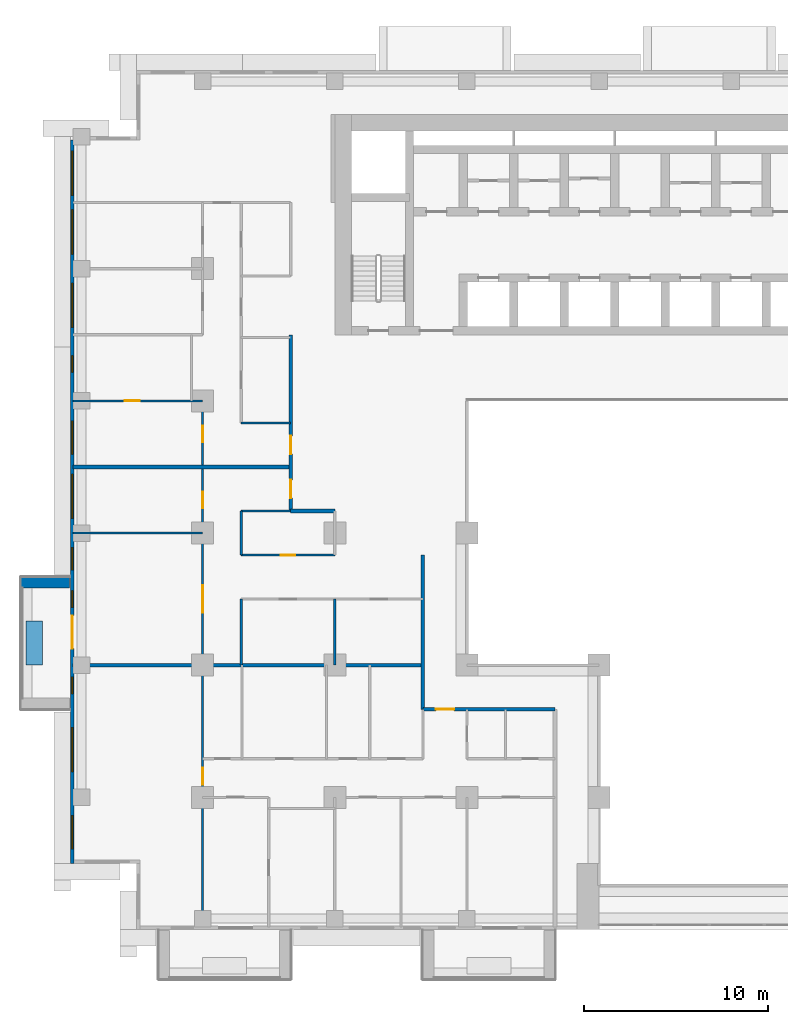
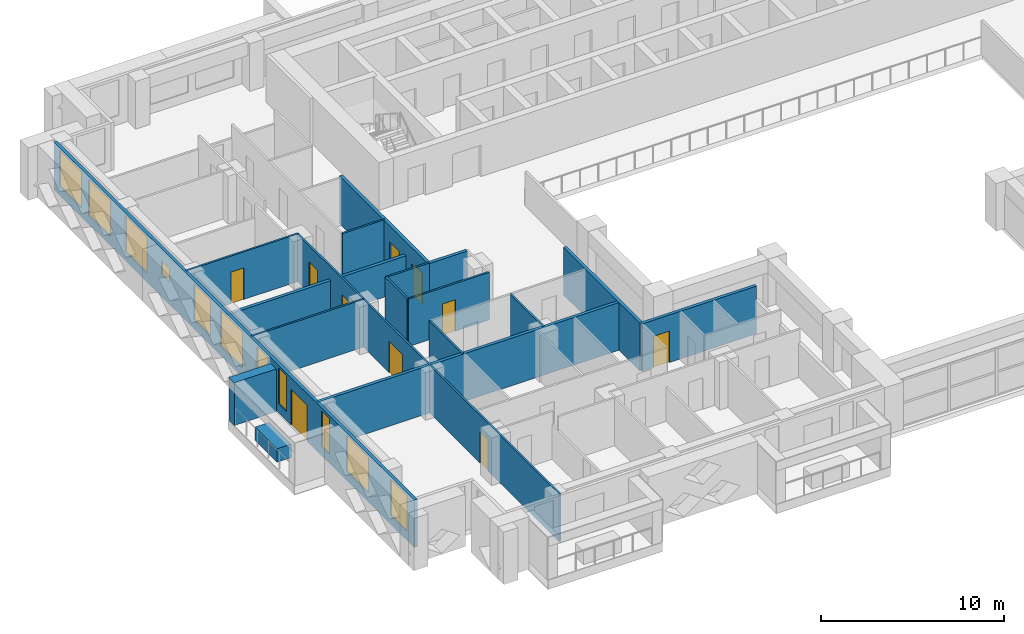
# One storey, part 7 of 17: 18 walls, 11 windows, 10 doors, 21 openings.
"""IFC4 building model written with IfcOpenShell, lengths in metres."""

from ifc_helpers import new_model, si_unit, direction, frame, frame_2d, origin, place, context, subcontext, project, spatial, rectangle, extrude, material, layer, layer_set, type_object, element, fill, save


model = new_model("IFC4")

# Units and contexts
model_context = context("Model", 3, precision=1e-05, world=origin(), true_north=direction((0.0, 1.0)))
body_context = subcontext(model_context, "Body", "Model", "MODEL_VIEW")
ifc_project = project(units=[si_unit("LENGTHUNIT", "METRE"), si_unit("AREAUNIT", "SQUARE_METRE"), si_unit("VOLUMEUNIT", "CUBIC_METRE"), si_unit("PLANEANGLEUNIT", "RADIAN"), si_unit("MASSUNIT", "GRAM", prefix="KILO")], contexts=[model_context])

# Site, building, storey
site_placement = place(None, origin())
site = spatial("IfcSite", under=ifc_project, at=site_placement, CompositionType="ELEMENT")
building_placement = place(site_placement, origin())
building = spatial("IfcBuilding", under=site, at=building_placement, Name="Saffron Iwan Residences", CompositionType="ELEMENT")
storey_placement = place(building_placement, frame((0.0, 0.0, 97.0)))
storey = spatial("IfcBuildingStorey", under=building, at=storey_placement, Name="L25", CompositionType="ELEMENT", Elevation=97.0)

# Walls
ifc_material_1 = material(Name="Concrete C50/60 white painted", Category="concrete")
ifc_layer_1 = layer(ifc_material_1, 0.60009765625)
ifc_layer_set_1 = layer_set([ifc_layer_1], Name="Concrete C50/60 white painted")
wall_type_1 = type_object("IfcWallType", Name="BALCONY FIN 600", PredefinedType="SOLIDWALL", material=ifc_layer_set_1)
wall_1_placement = place(storey_placement, frame((14.35009765625, 52.5, 0.0), z_axis=(0.0, 0.0, 1.0), x_axis=(-1.0, 0.0, 0.0)))
element("IfcWall", 1, at=wall_1_placement, inside=storey, type_object=wall_type_1, Name="Balcony fin L25 F8-1a", PredefinedType="SOLIDWALL", context=body_context, shape_type="SweptSolid", body=[
    extrude(rectangle(XDim=2.650146484375, YDim=0.60009765625, at=frame_2d((1.3251953125, 0.0))), origin(), (0.0, 0.0, 1.0), 2.85009765625),
])
ifc_material_2 = material(Name="Concrete C35/45 white painted", Category="concrete")
ifc_layer_2 = layer(ifc_material_2, 0.14990234375)
ifc_layer_set_2 = layer_set([ifc_layer_2], Name="Concrete C35/45 white painted")
wall_type_2 = type_object("IfcWallType", Name="BALCONY PLANTER", PredefinedType="SOLIDWALL", material=ifc_layer_set_2)
wall_2_placement = place(storey_placement, frame((12.425048828125, 50.39990234375, 0.0), z_axis=(0.0, 0.0, 1.0), x_axis=(0.0, -1.0, 0.0)))
element("IfcWall", 2, at=wall_2_placement, inside=storey, type_object=wall_type_2, Name="PLANTER L25 F8-1", PredefinedType="SOLIDWALL", context=body_context, shape_type="SweptSolid", body=[
    extrude(rectangle(XDim=2.39990234375, YDim=0.89990234375, at=frame_2d((1.199951171875, 0.0))), origin(), (0.0, 0.0, 1.0), 0.89990234375),
])

# Wall, openings, door, windows
ifc_material_3 = material(Name="Concrete C40/50", Category="concrete")
ifc_layer_3 = layer(ifc_material_3, 0.199951171875)
ifc_layer_set_3 = layer_set([ifc_layer_3], Name="Concrete C40/50")
wall_type_3 = type_object("IfcWallType", Name="EXTERNAL WALL 200", PredefinedType="SOLIDWALL", material=ifc_layer_set_3)
wall_3_placement = place(storey_placement, frame((14.5, 76.60009765625, 0.0), z_axis=(0.0, 0.0, 1.0), x_axis=(0.0, -1.0, 0.0)))
wall_3 = element("IfcWall", 3, at=wall_3_placement, inside=storey, type_object=wall_type_3, Name="External wall L25 F8.0", PredefinedType="SOLIDWALL", context=body_context, shape_type="SweptSolid", body=[
    extrude(rectangle(XDim=39.400146484375, YDim=0.199951171875, at=frame_2d((19.7001953125, 0.0))), origin(), (0.0, 0.0, 1.0), 3.179931640625),
])
opening_1_placement = place(wall_3_placement, frame((25.89990234375, 0.0, 0.0)))
opening_1 = element("IfcOpeningElement", 4, at=opening_1_placement, cuts=wall_3, Name="Opening BD1", PredefinedType="OPENING", context=body_context, shape_type="SweptSolid", body=[
    extrude(rectangle(XDim=1.800048828125, YDim=2.39990234375, at=frame_2d((0.89990234375, 1.199951171875))), frame((0.0, 0.10986328125, 0.0), z_axis=(0.0, -1.0, 0.0), x_axis=(1.0, 0.0, 0.0)), (0.0, 0.0, 1.0), 0.219970703125),
])
opening_2_placement = place(wall_3_placement, frame((29.25, 0.0, 0.60009765625)))
opening_2 = element("IfcOpeningElement", 5, at=opening_2_placement, cuts=wall_3, Name="Opening W10", PredefinedType="OPENING", context=body_context, shape_type="SweptSolid", body=[
    extrude(rectangle(XDim=0.89990234375, YDim=2.39990234375, at=frame_2d((0.449951171875, 1.199951171875))), frame((0.0, 0.10986328125, 0.0), z_axis=(0.0, -1.0, 0.0), x_axis=(1.0, 0.0, 0.0)), (0.0, 0.0, 1.0), 0.219970703125),
])
opening_3_placement = place(wall_3_placement, frame((32.0, 0.0, 0.60009765625)))
opening_3 = element("IfcOpeningElement", 6, at=opening_3_placement, cuts=wall_3, Name="Opening W1", PredefinedType="OPENING", context=body_context, shape_type="SweptSolid", body=[
    extrude(rectangle(XDim=2.39990234375, YDim=2.39990234375, at=frame_2d((1.199951171875, 1.199951171875))), frame((0.0, 0.10986328125, 0.0), z_axis=(0.0, -1.0, 0.0), x_axis=(1.0, 0.0, 0.0)), (0.0, 0.0, 1.0), 0.219970703125),
])
opening_4_placement = place(wall_3_placement, frame((36.800048828125, 0.0, 0.60009765625)))
opening_4 = element("IfcOpeningElement", 7, at=opening_4_placement, cuts=wall_3, Name="Opening W8", PredefinedType="OPENING", context=body_context, shape_type="SweptSolid", body=[
    extrude(rectangle(XDim=1.800048828125, YDim=2.39990234375, at=frame_2d((0.89990234375, 1.199951171875))), frame((0.0, 0.10986328125, 0.0), z_axis=(0.0, -1.0, 0.0), x_axis=(1.0, 0.0, 0.0)), (0.0, 0.0, 1.0), 0.219970703125),
])
opening_5_placement = place(wall_3_placement, frame((22.199951171875, 0.0, 0.60009765625)))
opening_5 = element("IfcOpeningElement", 8, at=opening_5_placement, cuts=wall_3, Name="Opening W3", PredefinedType="OPENING", context=body_context, shape_type="SweptSolid", body=[
    extrude(rectangle(XDim=1.199951171875, YDim=2.39990234375, at=frame_2d((0.60009765625, 1.199951171875))), frame((0.0, 0.10986328125, 0.0), z_axis=(0.0, -1.0, 0.0), x_axis=(1.0, 0.0, 0.0)), (0.0, 0.0, 1.0), 0.219970703125),
])
opening_6_placement = place(wall_3_placement, frame((24.550048828125, 0.0, 0.60009765625)))
opening_6 = element("IfcOpeningElement", 9, at=opening_6_placement, cuts=wall_3, Name="Opening W10", PredefinedType="OPENING", context=body_context, shape_type="SweptSolid", body=[
    extrude(rectangle(XDim=0.89990234375, YDim=2.39990234375, at=frame_2d((0.449951171875, 1.199951171875))), frame((0.0, 0.10986328125, 0.0), z_axis=(0.0, -1.0, 0.0), x_axis=(1.0, 0.0, 0.0)), (0.0, 0.0, 1.0), 0.219970703125),
])
opening_7_placement = place(wall_3_placement, frame((18.199951171875, 0.0, 0.60009765625)))
opening_7 = element("IfcOpeningElement", 10, at=opening_7_placement, cuts=wall_3, Name="Opening W1", PredefinedType="OPENING", context=body_context, shape_type="SweptSolid", body=[
    extrude(rectangle(XDim=2.39990234375, YDim=2.39990234375, at=frame_2d((1.199951171875, 1.199951171875))), frame((0.0, 0.10986328125, 0.0), z_axis=(0.0, -1.0, 0.0), x_axis=(1.0, 0.0, 0.0)), (0.0, 0.0, 1.0), 0.219970703125),
])
opening_8_placement = place(wall_3_placement, frame((15.300048828125, 0.0, 0.60009765625)))
opening_8 = element("IfcOpeningElement", 11, at=opening_8_placement, cuts=wall_3, Name="Opening W8", PredefinedType="OPENING", context=body_context, shape_type="SweptSolid", body=[
    extrude(rectangle(XDim=1.800048828125, YDim=2.39990234375, at=frame_2d((0.89990234375, 1.199951171875))), frame((0.0, 0.10986328125, 0.0), z_axis=(0.0, -1.0, 0.0), x_axis=(1.0, 0.0, 0.0)), (0.0, 0.0, 1.0), 0.219970703125),
])
opening_9_placement = place(wall_3_placement, frame((11.75, 0.0, 1.5)))
opening_9 = element("IfcOpeningElement", 12, at=opening_9_placement, cuts=wall_3, Name="Opening W6", PredefinedType="OPENING", context=body_context, shape_type="SweptSolid", body=[
    extrude(rectangle(XDim=0.89990234375, YDim=0.89990234375, at=frame_2d((0.449951171875, 0.449951171875))), frame((0.0, 0.10986328125, 0.0), z_axis=(0.0, -1.0, 0.0), x_axis=(1.0, 0.0, 0.0)), (0.0, 0.0, 1.0), 0.219970703125),
])
opening_10_placement = place(wall_3_placement, frame((7.800048828125, 0.0, 0.60009765625)))
opening_10 = element("IfcOpeningElement", 13, at=opening_10_placement, cuts=wall_3, Name="Opening W1", PredefinedType="OPENING", context=body_context, shape_type="SweptSolid", body=[
    extrude(rectangle(XDim=2.39990234375, YDim=2.39990234375, at=frame_2d((1.199951171875, 1.199951171875))), frame((0.0, 0.10986328125, 0.0), z_axis=(0.0, -1.0, 0.0), x_axis=(1.0, 0.0, 0.0)), (0.0, 0.0, 1.0), 0.219970703125),
])
opening_11_placement = place(wall_3_placement, frame((3.800048828125, 0.0, 0.60009765625)))
opening_11 = element("IfcOpeningElement", 14, at=opening_11_placement, cuts=wall_3, Name="Opening W1", PredefinedType="OPENING", context=body_context, shape_type="SweptSolid", body=[
    extrude(rectangle(XDim=2.39990234375, YDim=2.39990234375, at=frame_2d((1.199951171875, 1.199951171875))), frame((0.0, 0.10986328125, 0.0), z_axis=(0.0, -1.0, 0.0), x_axis=(1.0, 0.0, 0.0)), (0.0, 0.0, 1.0), 0.219970703125),
])
opening_12_placement = place(wall_3_placement, frame((0.60009765625, 0.0, 0.60009765625)))
opening_12 = element("IfcOpeningElement", 15, at=opening_12_placement, cuts=wall_3, Name="Opening W1", PredefinedType="OPENING", context=body_context, shape_type="SweptSolid", body=[
    extrude(rectangle(XDim=2.39990234375, YDim=2.39990234375, at=frame_2d((1.199951171875, 1.199951171875))), frame((0.0, 0.10986328125, 0.0), z_axis=(0.0, -1.0, 0.0), x_axis=(1.0, 0.0, 0.0)), (0.0, 0.0, 1.0), 0.219970703125),
])
ifc_material_4 = material(Name="Clear glass, laminated double glazed", Category="glass")
door_type_1 = type_object("IfcDoorType", Name="BALCONY DOOR 1800 x 2400", OperationType="DOUBLE_DOOR_SLIDING", PredefinedType="DOOR", material=ifc_material_4)
door_1_placement = place(opening_1_placement, origin())
door_1 = element("IfcDoor", 16, at=door_1_placement, inside=storey, type_object=door_type_1, Name="Balcony door L25 F8.0", OperationType="DOUBLE_DOOR_SLIDING", OverallHeight=2.39990234375, OverallWidth=1.800048828125, PredefinedType="DOOR", context=body_context, shape_type="SweptSolid", body=[
    extrude(rectangle(XDim=1.800048828125, YDim=2.39990234375, at=frame_2d((0.89990234375, 1.199951171875))), frame((0.0, 0.02490234375, 0.0), z_axis=(0.0, -1.0, 0.0), x_axis=(1.0, 0.0, 0.0)), (0.0, 0.0, 1.0), 0.050048828125),
])
fill(opening_1, door_1)
window_type_1 = type_object("IfcWindowType", Name="WINDOW 1200 x 2400", PartitioningType="SINGLE_PANEL", PredefinedType="WINDOW", material=ifc_material_4)
window_1_placement = place(opening_5_placement, origin())
window_1 = element("IfcWindow", 17, at=window_1_placement, inside=storey, type_object=window_type_1, Name="Window L25 F8.4", OverallHeight=2.39990234375, OverallWidth=1.199951171875, PartitioningType="SINGLE_PANEL", PredefinedType="WINDOW", context=body_context, shape_type="SweptSolid", body=[
    extrude(rectangle(XDim=1.199951171875, YDim=2.39990234375, at=frame_2d((0.60009765625, 1.199951171875))), frame((0.0, 0.030029296875, 0.0), z_axis=(0.0, -1.0, 0.0), x_axis=(1.0, 0.0, 0.0)), (0.0, 0.0, 1.0), 0.06005859375),
])
fill(opening_5, window_1)
window_type_2 = type_object("IfcWindowType", Name="WINDOW 1800 x 2400", PartitioningType="DOUBLE_PANEL_VERTICAL", PredefinedType="WINDOW", material=ifc_material_4)
window_2_placement = place(opening_4_placement, origin())
window_2 = element("IfcWindow", 18, at=window_2_placement, inside=storey, type_object=window_type_2, Name="Window L25 F8.3", OverallHeight=2.39990234375, OverallWidth=1.800048828125, PartitioningType="DOUBLE_PANEL_VERTICAL", PredefinedType="WINDOW", context=body_context, shape_type="SweptSolid", body=[
    extrude(rectangle(XDim=1.800048828125, YDim=2.39990234375, at=frame_2d((0.89990234375, 1.199951171875))), frame((0.0, 0.030029296875, 0.0), z_axis=(0.0, -1.0, 0.0), x_axis=(1.0, 0.0, 0.0)), (0.0, 0.0, 1.0), 0.06005859375),
])
fill(opening_4, window_2)
window_3_placement = place(opening_8_placement, origin())
window_3 = element("IfcWindow", 19, at=window_3_placement, inside=storey, type_object=window_type_2, Name="Window L25 F8.7", OverallHeight=2.39990234375, OverallWidth=1.800048828125, PartitioningType="DOUBLE_PANEL_VERTICAL", PredefinedType="WINDOW", context=body_context, shape_type="SweptSolid", body=[
    extrude(rectangle(XDim=1.800048828125, YDim=2.39990234375, at=frame_2d((0.89990234375, 1.199951171875))), frame((0.0, 0.030029296875, 0.0), z_axis=(0.0, -1.0, 0.0), x_axis=(1.0, 0.0, 0.0)), (0.0, 0.0, 1.0), 0.06005859375),
])
fill(opening_8, window_3)
window_type_3 = type_object("IfcWindowType", Name="WINDOW 2400 x 2400", PartitioningType="DOUBLE_PANEL_VERTICAL", PredefinedType="WINDOW", material=ifc_material_4)
window_4_placement = place(opening_3_placement, origin())
window_4 = element("IfcWindow", 20, at=window_4_placement, inside=storey, type_object=window_type_3, Name="Window L25 F8.2", OverallHeight=2.39990234375, OverallWidth=2.39990234375, PartitioningType="DOUBLE_PANEL_VERTICAL", PredefinedType="WINDOW", context=body_context, shape_type="SweptSolid", body=[
    extrude(rectangle(XDim=2.39990234375, YDim=2.39990234375, at=frame_2d((1.199951171875, 1.199951171875))), frame((0.0, 0.030029296875, 0.0), z_axis=(0.0, -1.0, 0.0), x_axis=(1.0, 0.0, 0.0)), (0.0, 0.0, 1.0), 0.06005859375),
])
fill(opening_3, window_4)
window_5_placement = place(opening_7_placement, origin())
window_5 = element("IfcWindow", 21, at=window_5_placement, inside=storey, type_object=window_type_3, Name="Window L25 F8.6", OverallHeight=2.39990234375, OverallWidth=2.39990234375, PartitioningType="DOUBLE_PANEL_VERTICAL", PredefinedType="WINDOW", context=body_context, shape_type="SweptSolid", body=[
    extrude(rectangle(XDim=2.39990234375, YDim=2.39990234375, at=frame_2d((1.199951171875, 1.199951171875))), frame((0.0, 0.030029296875, 0.0), z_axis=(0.0, -1.0, 0.0), x_axis=(1.0, 0.0, 0.0)), (0.0, 0.0, 1.0), 0.06005859375),
])
fill(opening_7, window_5)
window_6_placement = place(opening_10_placement, origin())
window_6 = element("IfcWindow", 22, at=window_6_placement, inside=storey, type_object=window_type_3, Name="Window L25 F8.9", OverallHeight=2.39990234375, OverallWidth=2.39990234375, PartitioningType="DOUBLE_PANEL_VERTICAL", PredefinedType="WINDOW", context=body_context, shape_type="SweptSolid", body=[
    extrude(rectangle(XDim=2.39990234375, YDim=2.39990234375, at=frame_2d((1.199951171875, 1.199951171875))), frame((0.0, 0.030029296875, 0.0), z_axis=(0.0, -1.0, 0.0), x_axis=(1.0, 0.0, 0.0)), (0.0, 0.0, 1.0), 0.06005859375),
])
fill(opening_10, window_6)
window_7_placement = place(opening_11_placement, origin())
window_7 = element("IfcWindow", 23, at=window_7_placement, inside=storey, type_object=window_type_3, Name="Window L25 F8.10", OverallHeight=2.39990234375, OverallWidth=2.39990234375, PartitioningType="DOUBLE_PANEL_VERTICAL", PredefinedType="WINDOW", context=body_context, shape_type="SweptSolid", body=[
    extrude(rectangle(XDim=2.39990234375, YDim=2.39990234375, at=frame_2d((1.199951171875, 1.199951171875))), frame((0.0, 0.030029296875, 0.0), z_axis=(0.0, -1.0, 0.0), x_axis=(1.0, 0.0, 0.0)), (0.0, 0.0, 1.0), 0.06005859375),
])
fill(opening_11, window_7)
window_8_placement = place(opening_12_placement, origin())
window_8 = element("IfcWindow", 24, at=window_8_placement, inside=storey, type_object=window_type_3, Name="Window L25 F8.11", OverallHeight=2.39990234375, OverallWidth=2.39990234375, PartitioningType="DOUBLE_PANEL_VERTICAL", PredefinedType="WINDOW", context=body_context, shape_type="SweptSolid", body=[
    extrude(rectangle(XDim=2.39990234375, YDim=2.39990234375, at=frame_2d((1.199951171875, 1.199951171875))), frame((0.0, 0.030029296875, 0.0), z_axis=(0.0, -1.0, 0.0), x_axis=(1.0, 0.0, 0.0)), (0.0, 0.0, 1.0), 0.06005859375),
])
fill(opening_12, window_8)
window_type_4 = type_object("IfcWindowType", Name="WINDOW 900 x 2400", PartitioningType="SINGLE_PANEL", PredefinedType="WINDOW", material=ifc_material_4)
window_9_placement = place(opening_2_placement, origin())
window_9 = element("IfcWindow", 25, at=window_9_placement, inside=storey, type_object=window_type_4, Name="Window L25 F8.1", OverallHeight=2.39990234375, OverallWidth=0.89990234375, PartitioningType="SINGLE_PANEL", PredefinedType="WINDOW", context=body_context, shape_type="SweptSolid", body=[
    extrude(rectangle(XDim=0.89990234375, YDim=2.39990234375, at=frame_2d((0.449951171875, 1.199951171875))), frame((0.0, 0.030029296875, 0.0), z_axis=(0.0, -1.0, 0.0), x_axis=(1.0, 0.0, 0.0)), (0.0, 0.0, 1.0), 0.06005859375),
])
fill(opening_2, window_9)
window_10_placement = place(opening_6_placement, origin())
window_10 = element("IfcWindow", 26, at=window_10_placement, inside=storey, type_object=window_type_4, Name="Window L25 F8.5", OverallHeight=2.39990234375, OverallWidth=0.89990234375, PartitioningType="SINGLE_PANEL", PredefinedType="WINDOW", context=body_context, shape_type="SweptSolid", body=[
    extrude(rectangle(XDim=0.89990234375, YDim=2.39990234375, at=frame_2d((0.449951171875, 1.199951171875))), frame((0.0, 0.030029296875, 0.0), z_axis=(0.0, -1.0, 0.0), x_axis=(1.0, 0.0, 0.0)), (0.0, 0.0, 1.0), 0.06005859375),
])
fill(opening_6, window_10)
window_type_5 = type_object("IfcWindowType", Name="WINDOW 900 x 900 BATH", PartitioningType="SINGLE_PANEL", PredefinedType="WINDOW", material=ifc_material_4)
window_11_placement = place(opening_9_placement, origin())
window_11 = element("IfcWindow", 27, at=window_11_placement, inside=storey, type_object=window_type_5, Name="Window L25 F8.8", OverallHeight=0.89990234375, OverallWidth=0.89990234375, PartitioningType="SINGLE_PANEL", PredefinedType="WINDOW", context=body_context, shape_type="SweptSolid", body=[
    extrude(rectangle(XDim=0.89990234375, YDim=0.89990234375, at=frame_2d((0.449951171875, 0.449951171875))), frame((0.0, 0.030029296875, 0.0), z_axis=(0.0, -1.0, 0.0), x_axis=(1.0, 0.0, 0.0)), (0.0, 0.0, 1.0), 0.06005859375),
])
fill(opening_9, window_11)

# Walls
ifc_material_5 = material(Name="Fire-rated gypsum board wall")
ifc_layer_4 = layer(ifc_material_5, 0.199951171875)
ifc_layer_set_4 = layer_set([ifc_layer_4], Name="Fire-rated gypsum board wall")
wall_type_4 = type_object("IfcWallType", Name="Flat demising wall 200", PredefinedType="SOLIDWALL", material=ifc_layer_set_4)
wall_4_placement = place(storey_placement, frame((14.52490234375, 48.0, 0.0), z_axis=(0.0, 0.0, 1.0), x_axis=(1.0, 0.0, 0.0)))
element("IfcWall", 28, at=wall_4_placement, inside=storey, type_object=wall_type_4, Name="W-L25-DEMISE-h48-14.525", PredefinedType="SOLIDWALL", context=body_context, shape_type="SweptSolid", body=[
    extrude(rectangle(XDim=19.0751953125, YDim=0.199951171875, at=frame_2d((9.53759765625, 0.0))), origin(), (0.0, 0.0, 1.0), 3.179931640625),
])
wall_5_placement = place(storey_placement, frame((14.52490234375, 58.800048828125, 0.0), z_axis=(0.0, 0.0, 1.0), x_axis=(1.0, 0.0, 0.0)))
element("IfcWall", 29, at=wall_5_placement, inside=storey, type_object=wall_type_4, Name="W-L25-DEMISE-h58.8-14.525", PredefinedType="SOLIDWALL", context=body_context, shape_type="SweptSolid", body=[
    extrude(rectangle(XDim=11.875, YDim=0.199951171875, at=frame_2d((5.9375, 0.0))), origin(), (0.0, 0.0, 1.0), 2.280029296875),
])

# Wall, opening, door
ifc_material_6 = material(Name="Gypsum board partition")
ifc_layer_5 = layer(ifc_material_6, 0.1201171875)
ifc_layer_set_5 = layer_set([ifc_layer_5], Name="Gypsum board partition")
wall_type_5 = type_object("IfcWallType", Name="Flat partition 120", PredefinedType="PARTITIONING", material=ifc_layer_set_5)
wall_6_placement = place(storey_placement, frame((23.699951171875, 54.0, 0.0), z_axis=(0.0, 0.0, 1.0), x_axis=(1.0, 0.0, 0.0)))
wall_6 = element("IfcWall", 30, at=wall_6_placement, inside=storey, type_object=wall_type_5, Name="W-L25-PART-h54-23.7", PredefinedType="PARTITIONING", context=body_context, shape_type="SweptSolid", body=[
    extrude(rectangle(XDim=5.10009765625, YDim=0.1201171875, at=frame_2d((2.550048828125, 0.0))), origin(), (0.0, 0.0, 1.0), 3.179931640625),
])
opening_13_placement = place(wall_6_placement, frame((2.14990234375, 0.0, 0.0)))
opening_13 = element("IfcOpeningElement", 31, at=opening_13_placement, cuts=wall_6, Name="Opening FD3", PredefinedType="OPENING", context=body_context, shape_type="SweptSolid", body=[
    extrude(rectangle(XDim=0.800048828125, YDim=2.10009765625, at=frame_2d((0.39990234375, 1.050048828125))), frame((0.0, 0.070068359375, 0.0), z_axis=(0.0, -1.0, 0.0), x_axis=(1.0, 0.0, 0.0)), (0.0, 0.0, 1.0), 0.14013671875),
])
ifc_material_7 = material(Name="Timber door", Category="wood")
door_type_2 = type_object("IfcDoorType", Name="Bathroom door 800", OperationType="NOTDEFINED", PredefinedType="DOOR", material=ifc_material_7)
door_2_placement = place(opening_13_placement, origin())
door_2 = element("IfcDoor", 32, at=door_2_placement, inside=storey, type_object=door_type_2, Name="Door L25-018", OperationType="SINGLE_SWING_RIGHT", OverallHeight=2.10009765625, OverallWidth=0.800048828125, PredefinedType="DOOR", context=body_context, shape_type="SweptSolid", body=[
    extrude(rectangle(XDim=0.800048828125, YDim=2.10009765625, at=frame_2d((0.39990234375, 1.050048828125))), frame((0.0, 0.02490234375, 0.0), z_axis=(0.0, -1.0, 0.0), x_axis=(1.0, 0.0, 0.0)), (0.0, 0.0, 1.0), 0.050048828125),
])
fill(opening_13, door_2)

# Walls
wall_7_placement = place(storey_placement, frame((14.52490234375, 55.199951171875, 0.0), z_axis=(0.0, 0.0, 1.0), x_axis=(1.0, 0.0, 0.0)))
element("IfcWall", 33, at=wall_7_placement, inside=storey, type_object=wall_type_5, Name="W-L25-PART-h55.2-14.525", PredefinedType="PARTITIONING", context=body_context, shape_type="SweptSolid", body=[
    extrude(rectangle(XDim=7.0751953125, YDim=0.1201171875, at=frame_2d((3.53759765625, 0.0))), origin(), (0.0, 0.0, 1.0), 3.179931640625),
])
for number, where, z_axis, x_axis, name in (
    (34, (23.699951171875, 56.39990234375, 0.0), (0.0, 0.0, 1.0), (1.0, 0.0, 0.0), "W-L25-PART-h56.4-23.7"),
    (35, (23.699951171875, 61.199951171875, 0.0), (0.0, 0.0, 1.0), (1.0, 0.0, 0.0), "W-L25-PART-h61.2-23.7"),
):
    element("IfcWall", number, at=place(storey_placement, frame(where, z_axis=z_axis, x_axis=x_axis)), inside=storey, type_object=wall_type_5, Name=name, PredefinedType="PARTITIONING", context=body_context, shape_type="SweptSolid", body=[
        extrude(rectangle(XDim=2.699951171875, YDim=0.1201171875, at=frame_2d((1.35009765625, 0.0))), origin(), (0.0, 0.0, 1.0), 3.179931640625),
    ])

# Wall, opening, door
wall_8_placement = place(storey_placement, frame((14.52490234375, 62.39990234375, 0.0), z_axis=(0.0, 0.0, 1.0), x_axis=(1.0, 0.0, 0.0)))
wall_8 = element("IfcWall", 36, at=wall_8_placement, inside=storey, type_object=wall_type_5, Name="W-L25-PART-h62.4-14.525", PredefinedType="PARTITIONING", context=body_context, shape_type="SweptSolid", body=[
    extrude(rectangle(XDim=7.0751953125, YDim=0.1201171875, at=frame_2d((3.53759765625, 0.0))), origin(), (0.0, 0.0, 1.0), 3.179931640625),
])
opening_14_placement = place(wall_8_placement, frame((2.83740234375, 0.0, 0.0)))
opening_14 = element("IfcOpeningElement", 37, at=opening_14_placement, cuts=wall_8, Name="Opening FD3", PredefinedType="OPENING", context=body_context, shape_type="SweptSolid", body=[
    extrude(rectangle(XDim=0.800048828125, YDim=2.10009765625, at=frame_2d((0.39990234375, 1.050048828125))), frame((0.0, 0.070068359375, 0.0), z_axis=(0.0, -1.0, 0.0), x_axis=(1.0, 0.0, 0.0)), (0.0, 0.0, 1.0), 0.14013671875),
])
door_3_placement = place(opening_14_placement, origin())
door_3 = element("IfcDoor", 38, at=door_3_placement, inside=storey, type_object=door_type_2, Name="Door L25-028", OperationType="SINGLE_SWING_LEFT", OverallHeight=2.10009765625, OverallWidth=0.800048828125, PredefinedType="DOOR", context=body_context, shape_type="SweptSolid", body=[
    extrude(rectangle(XDim=0.800048828125, YDim=2.10009765625, at=frame_2d((0.39990234375, 1.050048828125))), frame((0.0, 0.02490234375, 0.0), z_axis=(0.0, -1.0, 0.0), x_axis=(1.0, 0.0, 0.0)), (0.0, 0.0, 1.0), 0.050048828125),
])
fill(opening_14, door_3)

# Wall, openings, doors
wall_9_placement = place(storey_placement, frame((21.60009765625, 33.72509765625, 0.0), z_axis=(0.0, 0.0, 1.0), x_axis=(0.0, 1.0, 0.0)))
wall_9 = element("IfcWall", 39, at=wall_9_placement, inside=storey, type_object=wall_type_5, Name="W-L25-PART-v21.6-33.725", PredefinedType="PARTITIONING", context=body_context, shape_type="SweptSolid", body=[
    extrude(rectangle(XDim=28.6748046875, YDim=0.1201171875, at=frame_2d((14.33740234375, 0.0))), origin(), (0.0, 0.0, 1.0), 3.179931640625),
])
opening_15_placement = place(wall_9_placement, frame((7.77490234375, 0.0, 0.0)))
opening_15 = element("IfcOpeningElement", 40, at=opening_15_placement, cuts=wall_9, Name="Opening FD2", PredefinedType="OPENING", context=body_context, shape_type="SweptSolid", body=[
    extrude(rectangle(XDim=0.89990234375, YDim=2.10009765625, at=frame_2d((0.449951171875, 1.050048828125))), frame((0.0, 0.070068359375, 0.0), z_axis=(0.0, -1.0, 0.0), x_axis=(1.0, 0.0, 0.0)), (0.0, 0.0, 1.0), 0.14013671875),
])
opening_16_placement = place(wall_9_placement, frame((17.125, 0.0, 0.0)))
opening_16 = element("IfcOpeningElement", 41, at=opening_16_placement, cuts=wall_9, Name="Opening FD4", PredefinedType="OPENING", context=body_context, shape_type="SweptSolid", body=[
    extrude(rectangle(XDim=1.5, YDim=2.10009765625, at=frame_2d((0.75, 1.050048828125))), frame((0.0, 0.070068359375, 0.0), z_axis=(0.0, -1.0, 0.0), x_axis=(1.0, 0.0, 0.0)), (0.0, 0.0, 1.0), 0.14013671875),
])
opening_17_placement = place(wall_9_placement, frame((22.824951171875, 0.0, 0.0)))
opening_17 = element("IfcOpeningElement", 42, at=opening_17_placement, cuts=wall_9, Name="Opening FD2", PredefinedType="OPENING", context=body_context, shape_type="SweptSolid", body=[
    extrude(rectangle(XDim=0.89990234375, YDim=2.10009765625, at=frame_2d((0.449951171875, 1.050048828125))), frame((0.0, 0.070068359375, 0.0), z_axis=(0.0, -1.0, 0.0), x_axis=(1.0, 0.0, 0.0)), (0.0, 0.0, 1.0), 0.14013671875),
])
opening_18_placement = place(wall_9_placement, frame((26.425048828125, 0.0, 0.0)))
opening_18 = element("IfcOpeningElement", 43, at=opening_18_placement, cuts=wall_9, Name="Opening FD2", PredefinedType="OPENING", context=body_context, shape_type="SweptSolid", body=[
    extrude(rectangle(XDim=0.89990234375, YDim=2.10009765625, at=frame_2d((0.449951171875, 1.050048828125))), frame((0.0, 0.070068359375, 0.0), z_axis=(0.0, -1.0, 0.0), x_axis=(1.0, 0.0, 0.0)), (0.0, 0.0, 1.0), 0.14013671875),
])
door_type_3 = type_object("IfcDoorType", Name="Double door 1500", OperationType="NOTDEFINED", PredefinedType="DOOR", material=ifc_material_7)
door_4_placement = place(opening_16_placement, origin())
door_4 = element("IfcDoor", 44, at=door_4_placement, inside=storey, type_object=door_type_3, Name="Door L25-015", OperationType="SINGLE_SWING_RIGHT", OverallHeight=2.10009765625, OverallWidth=1.5, PredefinedType="DOOR", context=body_context, shape_type="SweptSolid", body=[
    extrude(rectangle(XDim=1.5, YDim=2.10009765625, at=frame_2d((0.75, 1.050048828125))), frame((0.0, 0.02490234375, 0.0), z_axis=(0.0, -1.0, 0.0), x_axis=(1.0, 0.0, 0.0)), (0.0, 0.0, 1.0), 0.050048828125),
])
fill(opening_16, door_4)
door_type_4 = type_object("IfcDoorType", Name="Flat door 900", OperationType="NOTDEFINED", PredefinedType="DOOR", material=ifc_material_7)
door_5_placement = place(opening_15_placement, origin())
door_5 = element("IfcDoor", 45, at=door_5_placement, inside=storey, type_object=door_type_4, Name="Door L25-002", OperationType="SINGLE_SWING_RIGHT", OverallHeight=2.10009765625, OverallWidth=0.89990234375, PredefinedType="DOOR", context=body_context, shape_type="SweptSolid", body=[
    extrude(rectangle(XDim=0.89990234375, YDim=2.10009765625, at=frame_2d((0.449951171875, 1.050048828125))), frame((0.0, 0.02490234375, 0.0), z_axis=(0.0, -1.0, 0.0), x_axis=(1.0, 0.0, 0.0)), (0.0, 0.0, 1.0), 0.050048828125),
])
fill(opening_15, door_5)
door_6_placement = place(opening_17_placement, origin())
door_6 = element("IfcDoor", 46, at=door_6_placement, inside=storey, type_object=door_type_4, Name="Door L25-016", OperationType="SINGLE_SWING_LEFT", OverallHeight=2.10009765625, OverallWidth=0.89990234375, PredefinedType="DOOR", context=body_context, shape_type="SweptSolid", body=[
    extrude(rectangle(XDim=0.89990234375, YDim=2.10009765625, at=frame_2d((0.449951171875, 1.050048828125))), frame((0.0, 0.02490234375, 0.0), z_axis=(0.0, -1.0, 0.0), x_axis=(1.0, 0.0, 0.0)), (0.0, 0.0, 1.0), 0.050048828125),
])
fill(opening_17, door_6)
door_7_placement = place(opening_18_placement, origin())
door_7 = element("IfcDoor", 47, at=door_7_placement, inside=storey, type_object=door_type_4, Name="Door L25-027", OperationType="SINGLE_SWING_RIGHT", OverallHeight=2.10009765625, OverallWidth=0.89990234375, PredefinedType="DOOR", context=body_context, shape_type="SweptSolid", body=[
    extrude(rectangle(XDim=0.89990234375, YDim=2.10009765625, at=frame_2d((0.449951171875, 1.050048828125))), frame((0.0, 0.02490234375, 0.0), z_axis=(0.0, -1.0, 0.0), x_axis=(1.0, 0.0, 0.0)), (0.0, 0.0, 1.0), 0.050048828125),
])
fill(opening_18, door_7)

# Walls
wall_10_placement = place(storey_placement, frame((23.699951171875, 48.0, 0.0), z_axis=(0.0, 0.0, 1.0), x_axis=(0.0, 1.0, 0.0)))
element("IfcWall", 48, at=wall_10_placement, inside=storey, type_object=wall_type_5, Name="W-L25-PART-v23.7-48", PredefinedType="PARTITIONING", context=body_context, shape_type="SweptSolid", body=[
    extrude(rectangle(XDim=3.60009765625, YDim=0.1201171875, at=frame_2d((1.800048828125, 0.0))), origin(), (0.0, 0.0, 1.0), 3.179931640625),
])
wall_11_placement = place(storey_placement, frame((23.699951171875, 54.0, 0.0), z_axis=(0.0, 0.0, 1.0), x_axis=(0.0, 1.0, 0.0)))
element("IfcWall", 49, at=wall_11_placement, inside=storey, type_object=wall_type_5, Name="W-L25-PART-v23.7-54", PredefinedType="PARTITIONING", context=body_context, shape_type="SweptSolid", body=[
    extrude(rectangle(XDim=2.39990234375, YDim=0.1201171875, at=frame_2d((1.199951171875, 0.0))), origin(), (0.0, 0.0, 1.0), 3.179931640625),
])
wall_12_placement = place(storey_placement, frame((28.800048828125, 48.0, 0.0), z_axis=(0.0, 0.0, 1.0), x_axis=(0.0, 1.0, 0.0)))
element("IfcWall", 50, at=wall_12_placement, inside=storey, type_object=wall_type_5, Name="W-L25-PART-v28.8-48", PredefinedType="PARTITIONING", context=body_context, shape_type="SweptSolid", body=[
    extrude(rectangle(XDim=3.60009765625, YDim=0.1201171875, at=frame_2d((1.800048828125, 0.0))), origin(), (0.0, 0.0, 1.0), 3.179931640625),
])

# Wall, opening, door
ifc_layer_6 = layer(ifc_material_5, 0.199951171875)
ifc_layer_set_6 = layer_set([ifc_layer_6], Name="Fire-rated gypsum board wall")
wall_type_6 = type_object("IfcWallType", Name="Gallery wall 200", PredefinedType="SOLIDWALL", material=ifc_layer_set_6)
wall_13_placement = place(storey_placement, frame((33.60009765625, 45.60009765625, 0.0), z_axis=(0.0, 0.0, 1.0), x_axis=(1.0, 0.0, 0.0)))
wall_13 = element("IfcWall", 51, at=wall_13_placement, inside=storey, type_object=wall_type_6, Name="W-L25-CORR-h45.6-33.6", PredefinedType="SOLIDWALL", context=body_context, shape_type="SweptSolid", body=[
    extrude(rectangle(XDim=7.199951171875, YDim=0.199951171875, at=frame_2d((3.60009765625, 0.0))), origin(), (0.0, 0.0, 1.0), 3.179931640625),
])
opening_19_placement = place(wall_13_placement, frame((0.699951171875, 0.0, 0.0)))
opening_19 = element("IfcOpeningElement", 52, at=opening_19_placement, cuts=wall_13, Name="Opening FD1", PredefinedType="OPENING", context=body_context, shape_type="SweptSolid", body=[
    extrude(rectangle(XDim=1.0, YDim=2.10009765625, at=frame_2d((0.5, 1.050048828125))), frame((0.0, 0.10986328125, 0.0), z_axis=(0.0, -1.0, 0.0), x_axis=(1.0, 0.0, 0.0)), (0.0, 0.0, 1.0), 0.219970703125),
])
ifc_material_8 = material(Name="Fire-rated timber door", Category="wood")
door_type_5 = type_object("IfcDoorType", Name="FD30S flat entrance door 1000", OperationType="NOTDEFINED", PredefinedType="DOOR", material=ifc_material_8)
door_8_placement = place(opening_19_placement, origin())
door_8 = element("IfcDoor", 53, at=door_8_placement, inside=storey, type_object=door_type_5, Name="Door L25-001", OperationType="SINGLE_SWING_LEFT", OverallHeight=2.10009765625, OverallWidth=1.0, PredefinedType="DOOR", context=body_context, shape_type="SweptSolid", body=[
    extrude(rectangle(XDim=1.0, YDim=2.10009765625, at=frame_2d((0.5, 1.050048828125))), frame((0.0, 0.02490234375, 0.0), z_axis=(0.0, -1.0, 0.0), x_axis=(1.0, 0.0, 0.0)), (0.0, 0.0, 1.0), 0.050048828125),
])
fill(opening_19, door_8)

# Wall
wall_14_placement = place(storey_placement, frame((26.39990234375, 56.39990234375, 0.0), z_axis=(0.0, 0.0, 1.0), x_axis=(1.0, 0.0, 0.0)))
element("IfcWall", 54, at=wall_14_placement, inside=storey, type_object=wall_type_6, Name="W-L25-CORR-h56.4-26.4", PredefinedType="SOLIDWALL", context=body_context, shape_type="SweptSolid", body=[
    extrude(rectangle(XDim=2.400146484375, YDim=0.199951171875, at=frame_2d((1.2001953125, 0.0))), origin(), (0.0, 0.0, 1.0), 3.179931640625),
])

# Wall, openings, doors
wall_15_placement = place(storey_placement, frame((26.39990234375, 56.39990234375, 0.0), z_axis=(0.0, 0.0, 1.0), x_axis=(0.0, 1.0, 0.0)))
wall_15 = element("IfcWall", 55, at=wall_15_placement, inside=storey, type_object=wall_type_6, Name="W-L25-CORR-v26.4-56.4", PredefinedType="SOLIDWALL", context=body_context, shape_type="SweptSolid", body=[
    extrude(rectangle(XDim=9.60009765625, YDim=0.199951171875, at=frame_2d((4.800048828125, 0.0))), origin(), (0.0, 0.0, 1.0), 3.179931640625),
])
opening_20_placement = place(wall_15_placement, frame((0.699951171875, 0.0, 0.0)))
opening_20 = element("IfcOpeningElement", 56, at=opening_20_placement, cuts=wall_15, Name="Opening FD1", PredefinedType="OPENING", context=body_context, shape_type="SweptSolid", body=[
    extrude(rectangle(XDim=1.0, YDim=2.10009765625, at=frame_2d((0.5, 1.050048828125))), frame((0.0, 0.10986328125, 0.0), z_axis=(0.0, -1.0, 0.0), x_axis=(1.0, 0.0, 0.0)), (0.0, 0.0, 1.0), 0.219970703125),
])
opening_21_placement = place(wall_15_placement, frame((3.10009765625, 0.0, 0.0)))
opening_21 = element("IfcOpeningElement", 57, at=opening_21_placement, cuts=wall_15, Name="Opening FD1", PredefinedType="OPENING", context=body_context, shape_type="SweptSolid", body=[
    extrude(rectangle(XDim=1.0, YDim=2.10009765625, at=frame_2d((0.5, 1.050048828125))), frame((0.0, 0.10986328125, 0.0), z_axis=(0.0, -1.0, 0.0), x_axis=(1.0, 0.0, 0.0)), (0.0, 0.0, 1.0), 0.219970703125),
])
door_9_placement = place(opening_20_placement, origin())
door_9 = element("IfcDoor", 58, at=door_9_placement, inside=storey, type_object=door_type_5, Name="Door L25-014", OperationType="SINGLE_SWING_LEFT", OverallHeight=2.10009765625, OverallWidth=1.0, PredefinedType="DOOR", context=body_context, shape_type="SweptSolid", body=[
    extrude(rectangle(XDim=1.0, YDim=2.10009765625, at=frame_2d((0.5, 1.050048828125))), frame((0.0, 0.02490234375, 0.0), z_axis=(0.0, -1.0, 0.0), x_axis=(1.0, 0.0, 0.0)), (0.0, 0.0, 1.0), 0.050048828125),
])
fill(opening_20, door_9)
door_10_placement = place(opening_21_placement, origin())
door_10 = element("IfcDoor", 59, at=door_10_placement, inside=storey, type_object=door_type_5, Name="Door L25-026", OperationType="SINGLE_SWING_LEFT", OverallHeight=2.10009765625, OverallWidth=1.0, PredefinedType="DOOR", context=body_context, shape_type="SweptSolid", body=[
    extrude(rectangle(XDim=1.0, YDim=2.10009765625, at=frame_2d((0.5, 1.050048828125))), frame((0.0, 0.02490234375, 0.0), z_axis=(0.0, -1.0, 0.0), x_axis=(1.0, 0.0, 0.0)), (0.0, 0.0, 1.0), 0.050048828125),
])
fill(opening_21, door_10)

# Wall
wall_16_placement = place(storey_placement, frame((33.60009765625, 45.60009765625, 0.0), z_axis=(0.0, 0.0, 1.0), x_axis=(0.0, 1.0, 0.0)))
element("IfcWall", 60, at=wall_16_placement, inside=storey, type_object=wall_type_6, Name="W-L25-CORR-v33.6-45.6", PredefinedType="SOLIDWALL", context=body_context, shape_type="SweptSolid", body=[
    extrude(rectangle(XDim=8.39990234375, YDim=0.199951171875, at=frame_2d((4.199951171875, 0.0))), origin(), (0.0, 0.0, 1.0), 3.179931640625),
])

save(model, "model.ifc")
